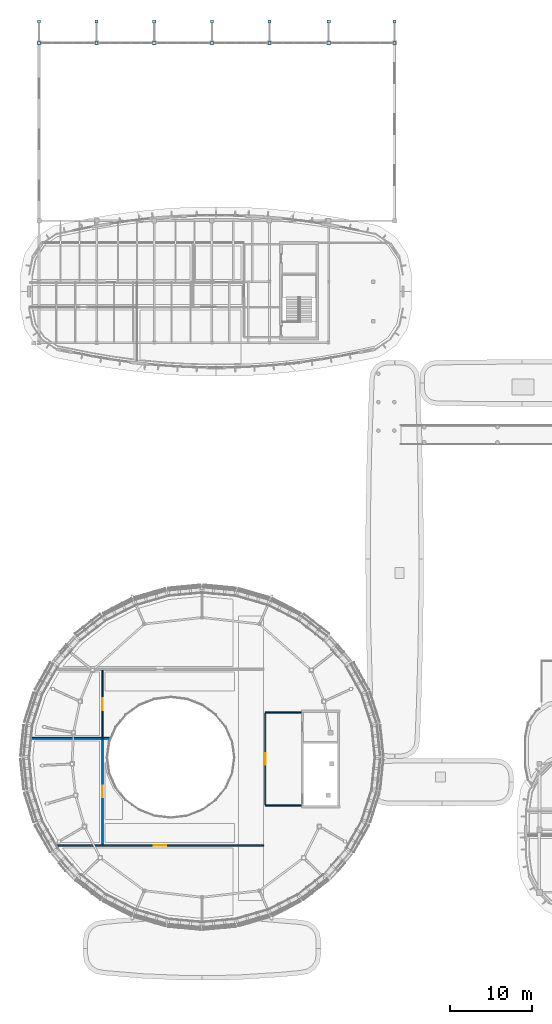
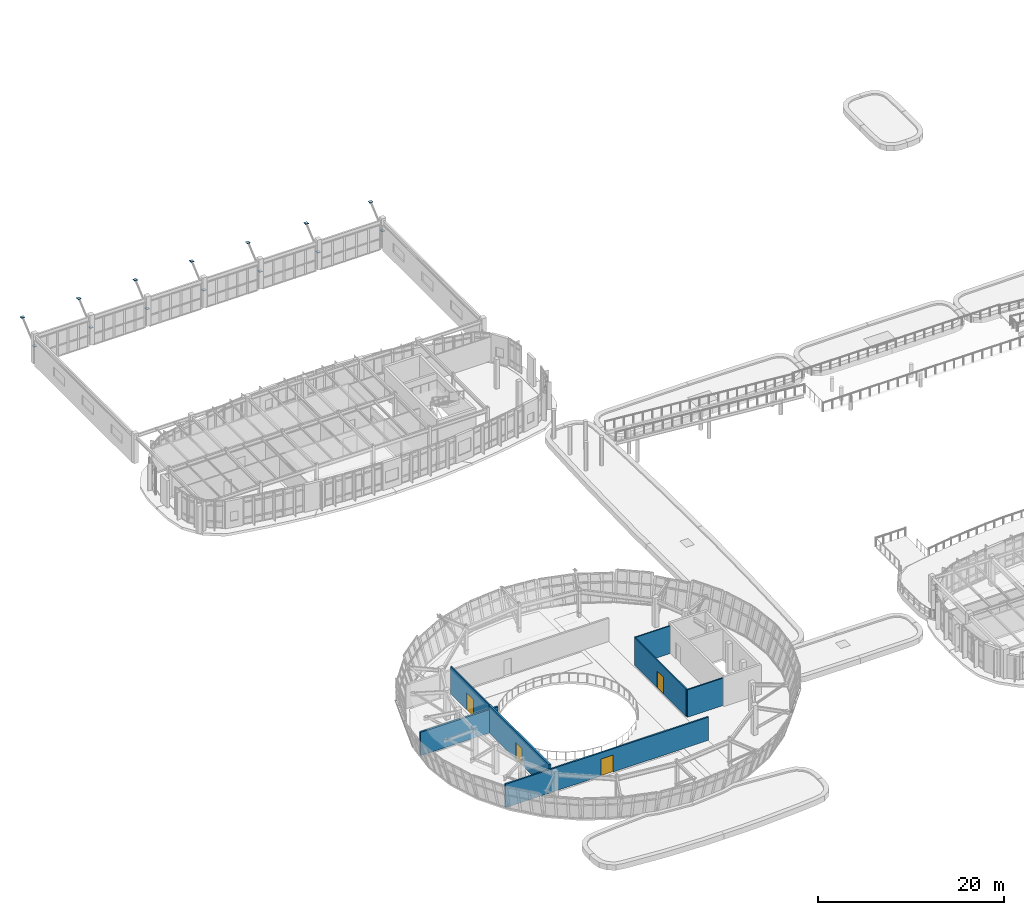
# One storey, part 82 of 111: 14 plates, 7 walls, 4 doors, 4 openings.
"""IFC4 building model written with IfcOpenShell, lengths in metres."""

from ifc_helpers import new_model, si_unit, direction, frame, frame_2d, origin, origin_2d, place, context, subcontext, project, spatial, rectangle, extrude, material, layer, layer_set, type_object, element, fill, save


model = new_model("IFC4")

# Units and contexts
model_context = context("Model", 3, precision=1e-05, world=origin(), true_north=direction((0.0, 1.0)))
body_context = subcontext(model_context, "Body", "Model", "MODEL_VIEW")
ifc_project = project(units=[si_unit("LENGTHUNIT", "METRE"), si_unit("AREAUNIT", "SQUARE_METRE"), si_unit("VOLUMEUNIT", "CUBIC_METRE"), si_unit("PLANEANGLEUNIT", "RADIAN"), si_unit("MASSUNIT", "GRAM", prefix="KILO")], contexts=[model_context])

# Site, building, storey
site_placement = place(None, origin())
site = spatial("IfcSite", under=ifc_project, at=site_placement, CompositionType="ELEMENT")
building_placement = place(site_placement, origin())
building = spatial("IfcBuilding", under=site, at=building_placement, Name="Corveleigh Park Community Centre", CompositionType="ELEMENT")
storey_placement = place(building_placement, frame((0.0, 0.0, 4.800048828125)))
storey = spatial("IfcBuildingStorey", under=building, at=storey_placement, Name="L01", CompositionType="ELEMENT", Elevation=4.800048828125)

# Plates
ifc_material_1 = material(Name="Steel S355", Category="steel")
ifc_layer_1 = layer(ifc_material_1, 0.028076171875, Name="Steel S355", Category="steel")
ifc_layer_set_1 = layer_set([ifc_layer_1], Name="Steel S355")
plate_type = type_object("IfcPlateType", Name="PLT-CAP-28", PredefinedType="SHEET", material=ifc_layer_set_1)
for number, where, z_axis, x_axis, name in (
    (1, (11.199951171875, 114.39990234375, 2.1357421875), (0.0, 0.0, 1.0), (1.0, 0.0, 0.0), "V2 North Sports Eave Raking Strut 1 base cap"),
    (2, (11.199951171875, 117.0, 4.330078125), (0.0, 0.0, 1.0), (1.0, 0.0, 0.0), "V2 North Sports Eave Raking Strut 1 tip cap"),
    (3, (18.199951171875, 114.39990234375, 2.1357421875), (0.0, 0.0, 1.0), (1.0, 0.0, 0.0), "V2 North Sports Eave Raking Strut 2 base cap"),
    (4, (18.199951171875, 117.0, 4.330078125), (0.0, 0.0, 1.0), (1.0, 0.0, 0.0), "V2 North Sports Eave Raking Strut 2 tip cap"),
    (5, (25.199951171875, 114.39990234375, 2.1357421875), (0.0, 0.0, 1.0), (1.0, 0.0, 0.0), "V2 North Sports Eave Raking Strut 3 base cap"),
    (6, (25.199951171875, 117.0, 4.330078125), (0.0, 0.0, 1.0), (1.0, 0.0, 0.0), "V2 North Sports Eave Raking Strut 3 tip cap"),
    (7, (32.199951171875, 114.39990234375, 2.1357421875), (0.0, 0.0, 1.0), (1.0, 0.0, 0.0), "V2 North Sports Eave Raking Strut 4 base cap"),
    (8, (32.199951171875, 117.0, 4.330078125), (0.0, 0.0, 1.0), (1.0, 0.0, 0.0), "V2 North Sports Eave Raking Strut 4 tip cap"),
    (9, (39.199951171875, 114.39990234375, 2.1357421875), (0.0, 0.0, 1.0), (1.0, 0.0, 0.0), "V2 North Sports Eave Raking Strut 5 base cap"),
    (10, (39.199951171875, 117.0, 4.330078125), (0.0, 0.0, 1.0), (1.0, 0.0, 0.0), "V2 North Sports Eave Raking Strut 5 tip cap"),
    (11, (46.39990234375, 114.39990234375, 2.1357421875), (0.0, 0.0, 1.0), (1.0, 0.0, 0.0), "V2 North Sports Eave Raking Strut 6 base cap"),
    (12, (46.39990234375, 117.0, 4.330078125), (0.0, 0.0, 1.0), (1.0, 0.0, 0.0), "V2 North Sports Eave Raking Strut 6 tip cap"),
    (13, (54.39990234375, 114.39990234375, 2.1357421875), (0.0, 0.0, 1.0), (1.0, 0.0, 0.0), "V2 North Sports Eave Raking Strut 7 base cap"),
    (14, (54.39990234375, 117.0, 4.330078125), (0.0, 0.0, 1.0), (1.0, 0.0, 0.0), "V2 North Sports Eave Raking Strut 7 tip cap"),
):
    element("IfcPlate", number, at=place(storey_placement, frame(where, z_axis=z_axis, x_axis=x_axis)), inside=storey, type_object=plate_type, Name=name, PredefinedType="SHEET", context=body_context, shape_type="SweptSolid", body=[
        extrude(rectangle(XDim=0.3798828125, YDim=0.3798828125, at=origin_2d()), origin(), (0.0, 0.0, 1.0), 0.028076171875),
    ])

# Walls
ifc_material_2 = material(Name="Gypsum acoustic stud partition", Category="gypsum")
ifc_layer_2 = layer(ifc_material_2, 0.14990234375, Name="Gypsum acoustic stud partition", Category="gypsum")
ifc_layer_set_2 = layer_set([ifc_layer_2], Name="Gypsum acoustic stud partition")
wall_type_1 = type_object("IfcWallType", Name="WL-PRT-150", PredefinedType="PARTITIONING", material=ifc_layer_set_2)
for number, where, z_axis, x_axis, name in (
    (15, (38.699951171875, 21.75, 0.0), (0.0, 0.0, 1.0), (1.0, 0.0, 0.0), "CORE5 lobby south wall"),
    (16, (43.077880859375, 33.050048828125, 0.0), (0.0, 0.0, 1.0), (-1.0, 0.0, 0.0), "CORE5 lobby north wall"),
):
    element("IfcWall", number, at=place(storey_placement, frame(where, z_axis=z_axis, x_axis=x_axis)), inside=storey, type_object=wall_type_1, Name=name, PredefinedType="PARTITIONING", context=body_context, shape_type="SweptSolid", body=[
        extrude(rectangle(XDim=4.3779296875, YDim=0.14990234375, at=frame_2d((2.18896484375, 0.0))), origin(), (0.0, 0.0, 1.0), 3.612060546875),
    ])

# Wall, opening, door
wall_1_placement = place(storey_placement, frame((38.699951171875, 32.969970703125, 0.0), z_axis=(0.0, 0.0, 1.0), x_axis=(0.0, -1.0, 0.0)))
wall_1 = element("IfcWall", 17, at=wall_1_placement, inside=storey, type_object=wall_type_1, Name="CORE5 lobby corridor wall", PredefinedType="PARTITIONING", context=body_context, shape_type="SweptSolid", body=[
    extrude(rectangle(XDim=11.139892578125, YDim=0.14990234375, at=frame_2d((5.56982421875, 0.0))), origin(), (0.0, 0.0, 1.0), 3.612060546875),
])
opening_1_placement = place(wall_1_placement, frame((4.8798828125, 0.0, 0.0)))
opening_1 = element("IfcOpeningElement", 18, at=opening_1_placement, cuts=wall_1, Name="Opening FD02", PredefinedType="OPENING", context=body_context, shape_type="SweptSolid", body=[
    extrude(rectangle(XDim=1.3798828125, YDim=2.199951171875, at=frame_2d((0.68994140625, 1.10009765625))), frame((0.0, 0.0849609375, 0.0), z_axis=(0.0, -1.0, 0.0), x_axis=(1.0, 0.0, 0.0)), (0.0, 0.0, 1.0), 0.169921875),
])
ifc_material_3 = material(Name="Hardwood acoustic door leaf", Category="wood")
door_type_1 = type_object("IfcDoorType", Name="DR-FIR-1380x2200", OperationType="DOUBLE_DOOR_SINGLE_SWING", PredefinedType="DOOR", material=ifc_material_3)
door_1_placement = place(opening_1_placement, origin())
door_1 = element("IfcDoor", 19, at=door_1_placement, inside=storey, type_object=door_type_1, Name="Lobby CORE5 corridor door L01", OperationType="DOUBLE_DOOR_SINGLE_SWING", OverallHeight=2.199951171875, OverallWidth=1.3798828125, PredefinedType="DOOR", context=body_context, shape_type="SweptSolid", body=[
    extrude(rectangle(XDim=1.3798828125, YDim=2.199951171875, at=frame_2d((0.68994140625, 1.10009765625))), frame((0.0, 0.02490234375, 0.0), z_axis=(0.0, -1.0, 0.0), x_axis=(1.0, 0.0, 0.0)), (0.0, 0.0, 1.0), 0.050048828125),
])
fill(opening_1, door_1)

wall_2_placement = place(storey_placement, frame((18.89990234375, 38.2041015625, 0.0), z_axis=(0.0, 0.0, 1.0), x_axis=(0.0, -1.0, 0.0)))
wall_2 = element("IfcWall", 20, at=wall_2_placement, inside=storey, type_object=wall_type_1, Name="Gallery Accessible Toilets L01 corridor wall", PredefinedType="PARTITIONING", context=body_context, shape_type="SweptSolid", body=[
    extrude(rectangle(XDim=8.30419921875, YDim=0.14990234375, at=frame_2d((4.152099609375, 0.0))), origin(), (0.0, 0.0, 1.0), 3.612060546875),
])
opening_2_placement = place(wall_2_placement, frame((3.412109375, 0.0, 0.0)))
opening_2 = element("IfcOpeningElement", 21, at=opening_2_placement, cuts=wall_2, Name="Opening FD01", PredefinedType="OPENING", context=body_context, shape_type="SweptSolid", body=[
    extrude(rectangle(XDim=1.47998046875, YDim=2.219970703125, at=frame_2d((0.739990234375, 1.10986328125))), frame((0.0, 0.0849609375, 0.0), z_axis=(0.0, -1.0, 0.0), x_axis=(1.0, 0.0, 0.0)), (0.0, 0.0, 1.0), 0.169921875),
])
door_type_2 = type_object("IfcDoorType", Name="DR-FIR-1480x2220", OperationType="DOUBLE_DOOR_SINGLE_SWING", PredefinedType="DOOR", material=ifc_material_3)
door_2_placement = place(opening_2_placement, origin())
door_2 = element("IfcDoor", 22, at=door_2_placement, inside=storey, type_object=door_type_2, Name="Gallery Accessible Toilets L01 door", OperationType="DOUBLE_DOOR_SINGLE_SWING", OverallHeight=2.219970703125, OverallWidth=1.47998046875, PredefinedType="DOOR", context=body_context, shape_type="SweptSolid", body=[
    extrude(rectangle(XDim=1.47998046875, YDim=2.219970703125, at=frame_2d((0.739990234375, 1.10986328125))), frame((0.0, 0.02490234375, 0.0), z_axis=(0.0, -1.0, 0.0), x_axis=(1.0, 0.0, 0.0)), (0.0, 0.0, 1.0), 0.050048828125),
])
fill(opening_2, door_2)

ifc_material_4 = material(Name="Masonry blockwork 7.3 MPa", Category="masonry")
ifc_layer_3 = layer(ifc_material_4, 0.195068359375, Name="Masonry blockwork 7.3 MPa", Category="masonry")
ifc_layer_set_3 = layer_set([ifc_layer_3], Name="Masonry blockwork 7.3 MPa")
wall_type_2 = type_object("IfcWallType", Name="WL-PRT-195", PredefinedType="PARTITIONING", material=ifc_layer_set_3)
wall_3_placement = place(storey_placement, frame((13.30810546875, 16.89990234375, 0.0), z_axis=(0.0, 0.0, 1.0), x_axis=(1.0, 0.0, 0.0)))
wall_3 = element("IfcWall", 23, at=wall_3_placement, inside=storey, type_object=wall_type_2, Name="Sanctuary South Balcony Gallery corridor wall", PredefinedType="PARTITIONING", context=body_context, shape_type="SweptSolid", body=[
    extrude(rectangle(XDim=25.19189453125, YDim=0.195068359375, at=frame_2d((12.595947265625, 0.0))), origin(), (0.0, 0.0, 1.0), 3.06103515625),
])
opening_3_placement = place(wall_3_placement, frame((11.85595703125, 0.0, 0.0)))
opening_3 = element("IfcOpeningElement", 24, at=opening_3_placement, cuts=wall_3, Name="Opening FD01", PredefinedType="OPENING", context=body_context, shape_type="SweptSolid", body=[
    extrude(rectangle(XDim=1.47998046875, YDim=2.219970703125, at=frame_2d((0.739990234375, 1.10986328125))), frame((0.0, 0.107421875, 0.0), z_axis=(0.0, -1.0, 0.0), x_axis=(1.0, 0.0, 0.0)), (0.0, 0.0, 1.0), 0.215087890625),
])
door_3_placement = place(opening_3_placement, origin())
door_3 = element("IfcDoor", 25, at=door_3_placement, inside=storey, type_object=door_type_2, Name="Sanctuary South Balcony Gallery door", OperationType="DOUBLE_DOOR_SINGLE_SWING", OverallHeight=2.219970703125, OverallWidth=1.47998046875, PredefinedType="DOOR", context=body_context, shape_type="SweptSolid", body=[
    extrude(rectangle(XDim=1.47998046875, YDim=2.219970703125, at=frame_2d((0.739990234375, 1.10986328125))), frame((0.0, 0.02490234375, 0.0), z_axis=(0.0, -1.0, 0.0), x_axis=(1.0, 0.0, 0.0)), (0.0, 0.0, 1.0), 0.050048828125),
])
fill(opening_3, door_3)

ifc_layer_4 = layer(ifc_material_4, 0.22998046875, Name="Masonry blockwork 7.3 MPa", Category="masonry")
ifc_layer_set_4 = layer_set([ifc_layer_4], Name="Masonry blockwork 7.3 MPa")
wall_type_3 = type_object("IfcWallType", Name="WL-PRT-230", PredefinedType="PARTITIONING", material=ifc_layer_set_4)
wall_4_placement = place(storey_placement, frame((18.89990234375, 29.89990234375, 0.0), z_axis=(0.0, 0.0, 1.0), x_axis=(0.0, -1.0, 0.0)))
wall_4 = element("IfcWall", 26, at=wall_4_placement, inside=storey, type_object=wall_type_3, Name="Interfaith Seminar Classroom corridor wall", PredefinedType="PARTITIONING", context=body_context, shape_type="SweptSolid", body=[
    extrude(rectangle(XDim=12.914794921875, YDim=0.22998046875, at=frame_2d((6.45751953125, 0.0))), origin(), (0.0, 0.0, 1.0), 3.612060546875),
])
opening_4_placement = place(wall_4_placement, frame((5.76806640625, 0.0, 0.0)))
opening_4 = element("IfcOpeningElement", 27, at=opening_4_placement, cuts=wall_4, Name="Opening FD02", PredefinedType="OPENING", context=body_context, shape_type="SweptSolid", body=[
    extrude(rectangle(XDim=1.3798828125, YDim=2.199951171875, at=frame_2d((0.68994140625, 1.10009765625))), frame((0.0, 0.125, 0.0), z_axis=(0.0, -1.0, 0.0), x_axis=(1.0, 0.0, 0.0)), (0.0, 0.0, 1.0), 0.25),
])
door_4_placement = place(opening_4_placement, origin())
door_4 = element("IfcDoor", 28, at=door_4_placement, inside=storey, type_object=door_type_1, Name="Interfaith Seminar Classroom door", OperationType="DOUBLE_DOOR_SINGLE_SWING", OverallHeight=2.199951171875, OverallWidth=1.3798828125, PredefinedType="DOOR", context=body_context, shape_type="SweptSolid", body=[
    extrude(rectangle(XDim=1.3798828125, YDim=2.199951171875, at=frame_2d((0.68994140625, 1.10009765625))), frame((0.0, 0.02490234375, 0.0), z_axis=(0.0, -1.0, 0.0), x_axis=(1.0, 0.0, 0.0)), (0.0, 0.0, 1.0), 0.050048828125),
])
fill(opening_4, door_4)

# Wall
wall_5_placement = place(storey_placement, frame((10.238037109375, 29.89990234375, 0.0), z_axis=(0.0, 0.0, 1.0), x_axis=(1.0, 0.0, 0.0)))
element("IfcWall", 29, at=wall_5_placement, inside=storey, type_object=wall_type_3, Name="Interfaith Seminar Classroom partition", PredefinedType="PARTITIONING", context=body_context, shape_type="SweptSolid", body=[
    extrude(rectangle(XDim=9.633056640625, YDim=0.22998046875, at=frame_2d((4.81640625, 0.0))), origin(), (0.0, 0.0, 1.0), 3.06103515625),
])

save(model, "model.ifc")
